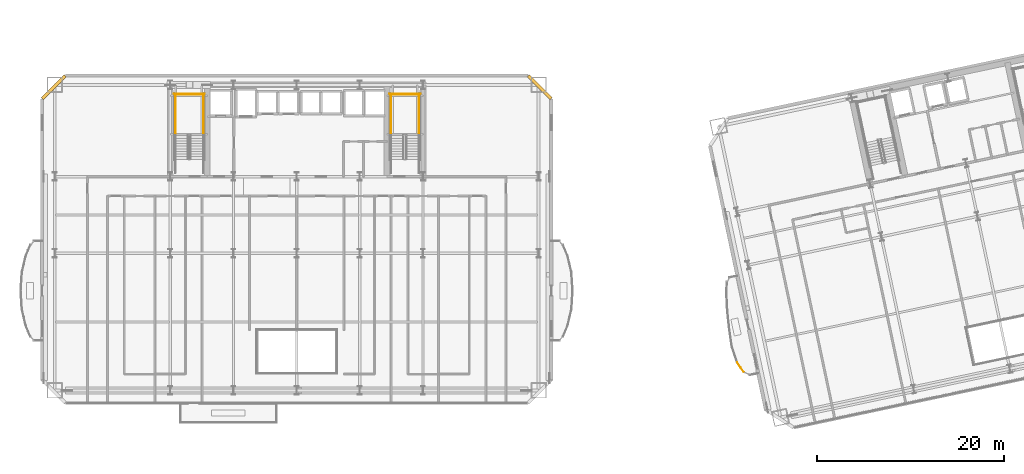
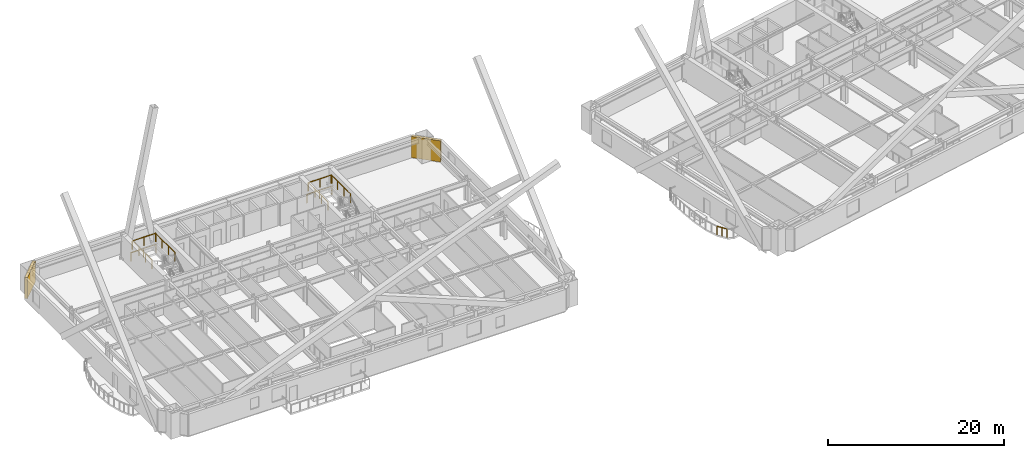
# One storey, part 16 of 20: 9 railings, 2 shading devices.
"""IFC4 building model written with IfcOpenShell, lengths in metres."""

from ifc_helpers import new_model, si_unit, direction, frame, origin, origin_2d, place, context, subcontext, project, spatial, rectangle, extrude, material, layer, layer_set, type_object, element, save


model = new_model("IFC4")

# Units and contexts
model_context = context("Model", 3, precision=1e-05, world=origin(), true_north=direction((0.0, 1.0)))
body_context = subcontext(model_context, "Body", "Model", "MODEL_VIEW")
ifc_project = project(units=[si_unit("LENGTHUNIT", "METRE"), si_unit("AREAUNIT", "SQUARE_METRE"), si_unit("VOLUMEUNIT", "CUBIC_METRE"), si_unit("PLANEANGLEUNIT", "RADIAN"), si_unit("MASSUNIT", "GRAM", prefix="KILO")], contexts=[model_context])

# Site, building, storey
site_placement = place(None, origin())
site = spatial("IfcSite", under=ifc_project, at=site_placement, CompositionType="ELEMENT")
building_placement = place(site_placement, origin())
building = spatial("IfcBuilding", under=site, at=building_placement, Name="Haevon Station Towers", CompositionType="ELEMENT")
storey_placement = place(building_placement, frame((0.0, 0.0, 30.60009765625)))
storey = spatial("IfcBuildingStorey", under=building, at=storey_placement, Name="L06", CompositionType="ELEMENT", Elevation=30.60009765625)

# Railings
ifc_material_1 = material(Name="Steel S355", Category="steel")
railing_type_1 = type_object("IfcRailingType", Name="GRD-EXT1200", PredefinedType="GUARDRAIL", material=ifc_material_1)
railing_1_placement = place(storey_placement, frame((84.56982421875, 18.336669921875, 0.0)))
element("IfcRailing", 1, at=railing_1_placement, inside=storey, type_object=railing_type_1, Name="L06 Perimeter Guardrail 8", PredefinedType="GUARDRAIL", context=body_context, shape_type="SweptSolid", body=[
    extrude(rectangle(XDim=0.048095703125, YDim=0.048095703125, at=origin_2d()), frame((0.0, 0.0, 1.17578125), z_axis=(0.563450699836, -0.826149689133, 0.0), x_axis=(0.826149689133, 0.563450699836, 0.0)), (0.0, 0.0, 1.0), 1.263916015625),
    extrude(rectangle(XDim=0.0419921875, YDim=0.0419921875, at=origin_2d()), origin(), (0.0, 0.0, 1.0), 1.15185546875),
    extrude(rectangle(XDim=0.0419921875, YDim=0.0419921875, at=origin_2d()), frame((0.35595703125, -0.52197265625, 0.0)), (0.0, 0.0, 1.0), 1.15185546875),
    extrude(rectangle(XDim=0.0419921875, YDim=0.0419921875, at=origin_2d()), frame((0.712158203125, -1.044189453125, 0.0)), (0.0, 0.0, 1.0), 1.15185546875),
])
railing_type_2 = type_object("IfcRailingType", Name="GRD-STR1200", PredefinedType="GUARDRAIL", material=ifc_material_1)
for number, where, name in (
    (2, (27.530029296875, 42.570068359375, 1.64990234375), "L06 ST1 Stair Guard 3"),
    (3, (24.530029296875, 42.570068359375, 1.64990234375), "L06 ST1 Stair Guard 4"),
):
    element("IfcRailing", number, at=place(storey_placement, frame(where)), inside=storey, type_object=railing_type_2, Name=name, PredefinedType="GUARDRAIL", context=body_context, shape_type="SweptSolid", body=[
        extrude(rectangle(XDim=0.048095703125, YDim=0.048095703125, at=origin_2d()), frame((0.0, 0.0, 1.17578125), z_axis=(0.0, 1.0, 0.0), x_axis=(-1.0, 0.0, 0.0)), (0.0, 0.0, 1.0), 4.429931640625),
        extrude(rectangle(XDim=0.0419921875, YDim=0.0419921875, at=origin_2d()), origin(), (0.0, 0.0, 1.0), 1.15185546875),
        extrude(rectangle(XDim=0.0419921875, YDim=0.0419921875, at=origin_2d()), frame((0.0, 1.4765625, 0.0)), (0.0, 0.0, 1.0), 1.15185546875),
        extrude(rectangle(XDim=0.0419921875, YDim=0.0419921875, at=origin_2d()), frame((0.0, 2.953369140625, 0.0)), (0.0, 0.0, 1.0), 1.15185546875),
        extrude(rectangle(XDim=0.0419921875, YDim=0.0419921875, at=origin_2d()), frame((0.0, 4.429931640625, 0.0)), (0.0, 0.0, 1.0), 1.15185546875),
    ])
railing_2_placement = place(storey_placement, frame((27.580078125, 46.949951171875, 1.64990234375)))
element("IfcRailing", 4, at=railing_2_placement, inside=storey, type_object=railing_type_2, Name="L06 ST1 Stair Guard 5", PredefinedType="GUARDRAIL", context=body_context, shape_type="SweptSolid", body=[
    extrude(rectangle(XDim=0.048095703125, YDim=0.048095703125, at=origin_2d()), frame((0.0, 0.0, 1.17578125), z_axis=(-1.0, 0.0, 0.0), x_axis=(0.0, -1.0, 0.0)), (0.0, 0.0, 1.0), 3.10009765625),
    extrude(rectangle(XDim=0.0419921875, YDim=0.0419921875, at=origin_2d()), origin(), (0.0, 0.0, 1.0), 1.15185546875),
    extrude(rectangle(XDim=0.0419921875, YDim=0.0419921875, at=origin_2d()), frame((-1.550048828125, 0.0, 0.0)), (0.0, 0.0, 1.0), 1.15185546875),
    extrude(rectangle(XDim=0.0419921875, YDim=0.0419921875, at=origin_2d()), frame((-3.10009765625, 0.0, 0.0)), (0.0, 0.0, 1.0), 1.15185546875),
])
railing_3_placement = place(storey_placement, frame((27.679931640625, 47.050048828125, 0.0)))
element("IfcRailing", 5, at=railing_3_placement, inside=storey, type_object=railing_type_2, Name="L06 ST1 Stair Guard 12", PredefinedType="GUARDRAIL", context=body_context, shape_type="SweptSolid", body=[
    extrude(rectangle(XDim=0.048095703125, YDim=0.048095703125, at=origin_2d()), frame((0.0, 0.0, 1.17578125), z_axis=(-1.0, 0.0, 0.0), x_axis=(0.0, -1.0, 0.0)), (0.0, 0.0, 1.0), 3.300048828125),
    extrude(rectangle(XDim=0.0419921875, YDim=0.0419921875, at=origin_2d()), origin(), (0.0, 0.0, 1.0), 1.15185546875),
    extrude(rectangle(XDim=0.0419921875, YDim=0.0419921875, at=origin_2d()), frame((-1.64990234375, 0.0, 0.0)), (0.0, 0.0, 1.0), 1.15185546875),
    extrude(rectangle(XDim=0.0419921875, YDim=0.0419921875, at=origin_2d()), frame((-3.300048828125, 0.0, 0.0)), (0.0, 0.0, 1.0), 1.15185546875),
])
for number, where, name in (
    (6, (50.570068359375, 42.570068359375, 1.64990234375), "L06 ST2 Stair Guard 3"),
    (7, (47.570068359375, 42.570068359375, 1.64990234375), "L06 ST2 Stair Guard 4"),
):
    element("IfcRailing", number, at=place(storey_placement, frame(where)), inside=storey, type_object=railing_type_2, Name=name, PredefinedType="GUARDRAIL", context=body_context, shape_type="SweptSolid", body=[
        extrude(rectangle(XDim=0.048095703125, YDim=0.048095703125, at=origin_2d()), frame((0.0, 0.0, 1.17578125), z_axis=(0.0, 1.0, 0.0), x_axis=(-1.0, 0.0, 0.0)), (0.0, 0.0, 1.0), 4.429931640625),
        extrude(rectangle(XDim=0.0419921875, YDim=0.0419921875, at=origin_2d()), origin(), (0.0, 0.0, 1.0), 1.15185546875),
        extrude(rectangle(XDim=0.0419921875, YDim=0.0419921875, at=origin_2d()), frame((0.0, 1.4765625, 0.0)), (0.0, 0.0, 1.0), 1.15185546875),
        extrude(rectangle(XDim=0.0419921875, YDim=0.0419921875, at=origin_2d()), frame((0.0, 2.953369140625, 0.0)), (0.0, 0.0, 1.0), 1.15185546875),
        extrude(rectangle(XDim=0.0419921875, YDim=0.0419921875, at=origin_2d()), frame((0.0, 4.429931640625, 0.0)), (0.0, 0.0, 1.0), 1.15185546875),
    ])
railing_4_placement = place(storey_placement, frame((50.6201171875, 46.949951171875, 1.64990234375)))
element("IfcRailing", 8, at=railing_4_placement, inside=storey, type_object=railing_type_2, Name="L06 ST2 Stair Guard 5", PredefinedType="GUARDRAIL", context=body_context, shape_type="SweptSolid", body=[
    extrude(rectangle(XDim=0.048095703125, YDim=0.048095703125, at=origin_2d()), frame((0.0, 0.0, 1.17578125), z_axis=(-1.0, 0.0, 0.0), x_axis=(0.0, -1.0, 0.0)), (0.0, 0.0, 1.0), 3.10009765625),
    extrude(rectangle(XDim=0.0419921875, YDim=0.0419921875, at=origin_2d()), origin(), (0.0, 0.0, 1.0), 1.15185546875),
    extrude(rectangle(XDim=0.0419921875, YDim=0.0419921875, at=origin_2d()), frame((-1.550048828125, 0.0, 0.0)), (0.0, 0.0, 1.0), 1.15185546875),
    extrude(rectangle(XDim=0.0419921875, YDim=0.0419921875, at=origin_2d()), frame((-3.10009765625, 0.0, 0.0)), (0.0, 0.0, 1.0), 1.15185546875),
])
railing_5_placement = place(storey_placement, frame((50.719970703125, 47.050048828125, 0.0)))
element("IfcRailing", 9, at=railing_5_placement, inside=storey, type_object=railing_type_2, Name="L06 ST2 Stair Guard 12", PredefinedType="GUARDRAIL", context=body_context, shape_type="SweptSolid", body=[
    extrude(rectangle(XDim=0.048095703125, YDim=0.048095703125, at=origin_2d()), frame((0.0, 0.0, 1.17578125), z_axis=(-1.0, 0.0, 0.0), x_axis=(0.0, -1.0, 0.0)), (0.0, 0.0, 1.0), 3.300048828125),
    extrude(rectangle(XDim=0.0419921875, YDim=0.0419921875, at=origin_2d()), origin(), (0.0, 0.0, 1.0), 1.15185546875),
    extrude(rectangle(XDim=0.0419921875, YDim=0.0419921875, at=origin_2d()), frame((-1.64990234375, 0.0, 0.0)), (0.0, 0.0, 1.0), 1.15185546875),
    extrude(rectangle(XDim=0.0419921875, YDim=0.0419921875, at=origin_2d()), frame((-3.300048828125, 0.0, 0.0)), (0.0, 0.0, 1.0), 1.15185546875),
])

# Shading devices
ifc_material_2 = material(Name="Anodised aluminium 6063-T6", Category="aluminium")
ifc_layer = layer(ifc_material_2, 0.139892578125)
ifc_layer_set = layer_set([ifc_layer], Name="Anodised aluminium 6063-T6")
shading_device_type = type_object("IfcShadingDeviceType", Name="SHD-WIND-BAFFLE", PredefinedType="SHUTTER", material=ifc_layer_set)
for number, where, z_axis, x_axis, name in (
    (10, (11.550048828125, 47.75, 0.0498046875), (0.0, 0.0, 1.0), (0.707106781187, 0.707106781187, 0.0), "Tower 1 L06 Wind-Corner Aerofoil Baffle NWC"),
    (11, (63.449951171875, 47.75, 0.0498046875), (0.0, 0.0, 1.0), (0.707106781187, -0.707106781187, 0.0), "Tower 1 L06 Wind-Corner Aerofoil Baffle NEC"),
):
    element("IfcShadingDevice", number, at=place(storey_placement, frame(where, z_axis=z_axis, x_axis=x_axis)), inside=storey, type_object=shading_device_type, Name=name, PredefinedType="SHUTTER", context=body_context, shape_type="SweptSolid", body=[
        extrude(rectangle(XDim=3.435546875, YDim=0.340087890625, at=origin_2d()), origin(), (0.0, 0.0, 1.0), 2.929931640625),
    ])

save(model, "model.ifc")
